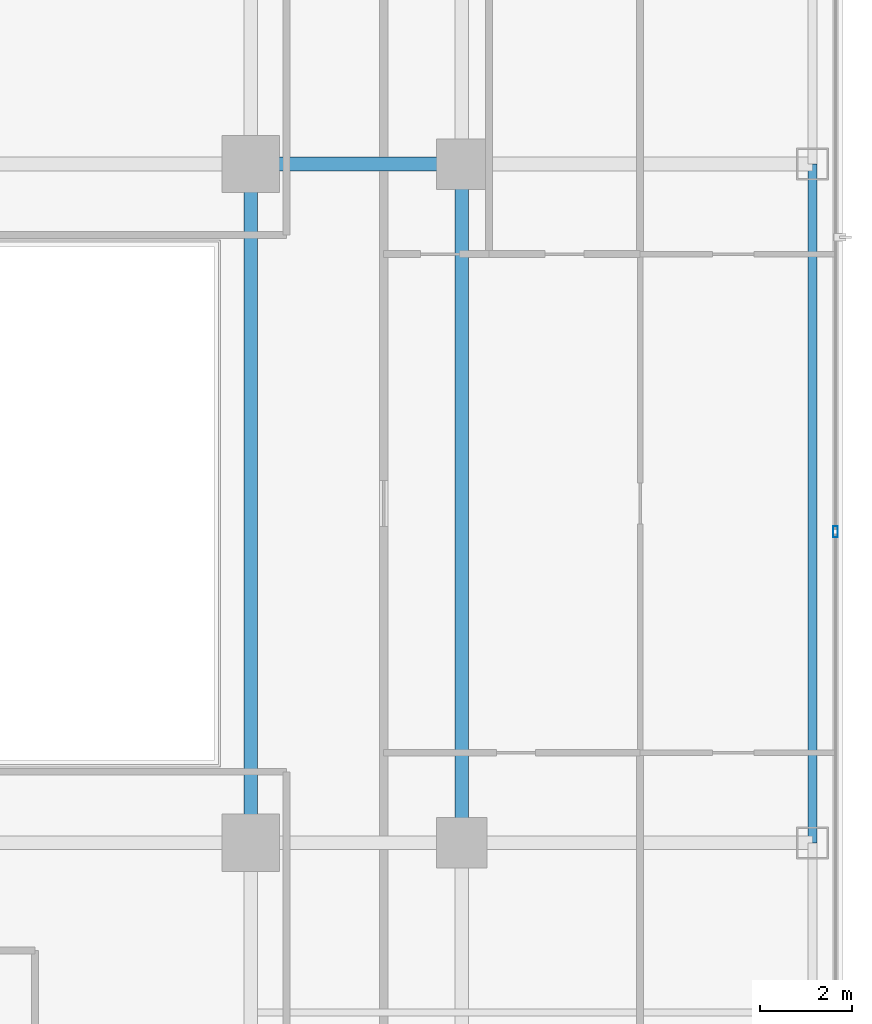
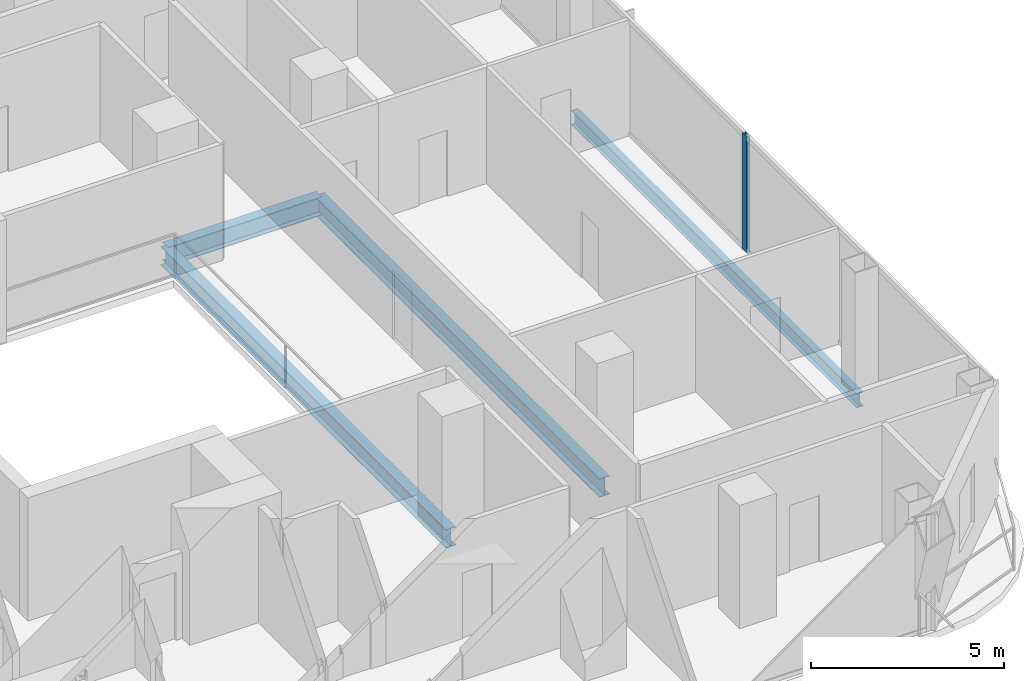
# One storey, part 9 of 30: 4 beams, 1 member, 1 element without a shape of its own.
"""IFC4 building model written with IfcOpenShell, lengths in metres."""

from ifc_helpers import new_model, si_unit, direction, frame, origin, origin_2d, place, context, subcontext, project, spatial, hollow_rectangle, i_section, extrude, material, layer, layer_set, material_profile, profile_set, type_object, element, aggregate, save


model = new_model("IFC4")

# Units and contexts
model_context = context("Model", 3, precision=1e-05, world=origin(), true_north=direction((0.0, 1.0)))
body_context = subcontext(model_context, "Body", "Model", "MODEL_VIEW")
ifc_project = project(units=[si_unit("LENGTHUNIT", "METRE"), si_unit("AREAUNIT", "SQUARE_METRE"), si_unit("VOLUMEUNIT", "CUBIC_METRE"), si_unit("PLANEANGLEUNIT", "RADIAN"), si_unit("MASSUNIT", "GRAM", prefix="KILO")], contexts=[model_context])

# Site, building, storey
site_placement = place(None, origin())
site = spatial("IfcSite", under=ifc_project, at=site_placement, CompositionType="ELEMENT")
building_placement = place(site_placement, origin())
building = spatial("IfcBuilding", under=site, at=building_placement, Name="Khorvyn Point Tower", CompositionType="ELEMENT")
storey_placement = place(building_placement, frame((0.0, 0.0, 117.300048828125)))
storey = spatial("IfcBuildingStorey", under=building, at=storey_placement, Name="L29", CompositionType="ELEMENT", Elevation=117.300048828125)

# Curtain wall, member
ifc_material_1 = material(Name="Anodised aluminium 6063-T6 and laminated Low-E glass", Category="aluminium")
ifc_layer = layer(ifc_material_1, 0.18994140625)
ifc_layer_set = layer_set([ifc_layer], Name="Stick-Built Acoustic Curtain Wall CW-SYS-03")
curtain_wall_type = type_object("IfcCurtainWallType", Name="Stick-Built Acoustic Curtain Wall CW-SYS-03", PredefinedType="NOTDEFINED", material=ifc_layer_set)
curtain_wall_placement = place(storey_placement, origin())
curtain_wall = element("IfcCurtainWall", 1, at=curtain_wall_placement, inside=storey, type_object=curtain_wall_type, Name="Curtain Wall", PredefinedType="NOTDEFINED")
ifc_material_2 = material(Name="Anodised aluminium 6063-T6", Category="aluminium")
ifc_material_profile_1 = material_profile(ifc_material_2, hollow_rectangle(XDim=0.10009765625, YDim=0.239990234375, WallThickness=0.0048828125, at=origin_2d()))
ifc_profile_set_1 = profile_set([ifc_material_profile_1], Name="Anodised aluminium 6063-T6 ALU-MUL-100x240")
member_type = type_object("IfcMemberType", Name="Anodised Aluminium 6063-T6 Mullion ALU-MUL-100x240", PredefinedType="MULLION", material=ifc_profile_set_1)
member_placement = place(storey_placement, frame((27.550048828125, -0.61669921875, 0.0), z_axis=(0.0, 0.0, 1.0), x_axis=(1.0, 0.0, 0.0)))
member = element("IfcMember", 2, at=member_placement, type_object=member_type, Name="Transom", PredefinedType="MULLION", context=body_context, shape_type="SweptSolid", body=[
    extrude(hollow_rectangle(XDim=0.10009765625, YDim=0.239990234375, WallThickness=0.0048828125, at=origin_2d()), origin(), (0.0, 0.0, 1.0), 3.679931640625),
])
aggregate(curtain_wall, [member])

# Beams
ifc_material_3 = material(Name="Steel S355", Category="steel")
ifc_material_profile_2 = material_profile(ifc_material_3, i_section(OverallWidth=0.300048828125, OverallDepth=0.587890625, WebThickness=0.011962890625, FlangeThickness=0.02001953125, at=origin_2d()))
ifc_profile_set_2 = profile_set([ifc_material_profile_2], Name="Steel S355 H588x300x12x20")
beam_type_1 = type_object("IfcBeamType", Name="Steel S355 Beam H588x300x12x20", PredefinedType="BEAM", material=ifc_profile_set_2)
beam_1_placement = place(storey_placement, frame((14.800048828125, 7.39990234375, -0.51416015625), z_axis=(1.0, 0.0, 0.0), x_axis=(0.0, 1.0, 0.0)))
element("IfcBeam", 3, at=beam_1_placement, inside=storey, type_object=beam_type_1, Name="Beam", PredefinedType="BEAM", context=body_context, shape_type="SweptSolid", body=[
    extrude(i_section(OverallWidth=0.300048828125, OverallDepth=0.587890625, WebThickness=0.011962890625, FlangeThickness=0.02001953125, at=origin_2d()), origin(), (0.0, 0.0, 1.0), 4.599853515625),
])
for number, where, z_axis, x_axis, name in (
    (4, (14.800048828125, -7.39990234375, -0.51416015625), (0.0, 1.0, 0.0), (-1.0, 0.0, 0.0), "Beam"),
    (5, (19.39990234375, -7.39990234375, -0.51416015625), (0.0, 1.0, 0.0), (-1.0, 0.0, 0.0), "Beam"),
):
    element("IfcBeam", number, at=place(storey_placement, frame(where, z_axis=z_axis, x_axis=x_axis)), inside=storey, type_object=beam_type_1, Name=name, PredefinedType="BEAM", context=body_context, shape_type="SweptSolid", body=[
        extrude(i_section(OverallWidth=0.300048828125, OverallDepth=0.587890625, WebThickness=0.011962890625, FlangeThickness=0.02001953125, at=origin_2d()), origin(), (0.0, 0.0, 1.0), 14.7998046875),
    ])
ifc_material_profile_3 = material_profile(ifc_material_3, i_section(OverallWidth=0.199951171875, OverallDepth=0.449951171875, WebThickness=0.009033203125, FlangeThickness=0.013916015625, at=origin_2d()))
ifc_profile_set_3 = profile_set([ifc_material_profile_3], Name="Steel S355 H450x200x9x14")
beam_type_2 = type_object("IfcBeamType", Name="Steel S355 Spandrel H450x200x9x14", PredefinedType="SPANDREL", material=ifc_profile_set_3)
beam_2_placement = place(storey_placement, frame((27.050048828125, -7.39990234375, -0.445068359375), z_axis=(0.0, 1.0, 0.0), x_axis=(-1.0, 0.0, 0.0)))
element("IfcBeam", 6, at=beam_2_placement, inside=storey, type_object=beam_type_2, Name="Beam", PredefinedType="SPANDREL", context=body_context, shape_type="SweptSolid", body=[
    extrude(i_section(OverallWidth=0.199951171875, OverallDepth=0.449951171875, WebThickness=0.009033203125, FlangeThickness=0.013916015625, at=origin_2d()), origin(), (0.0, 0.0, 1.0), 14.7998046875),
])

save(model, "model.ifc")
